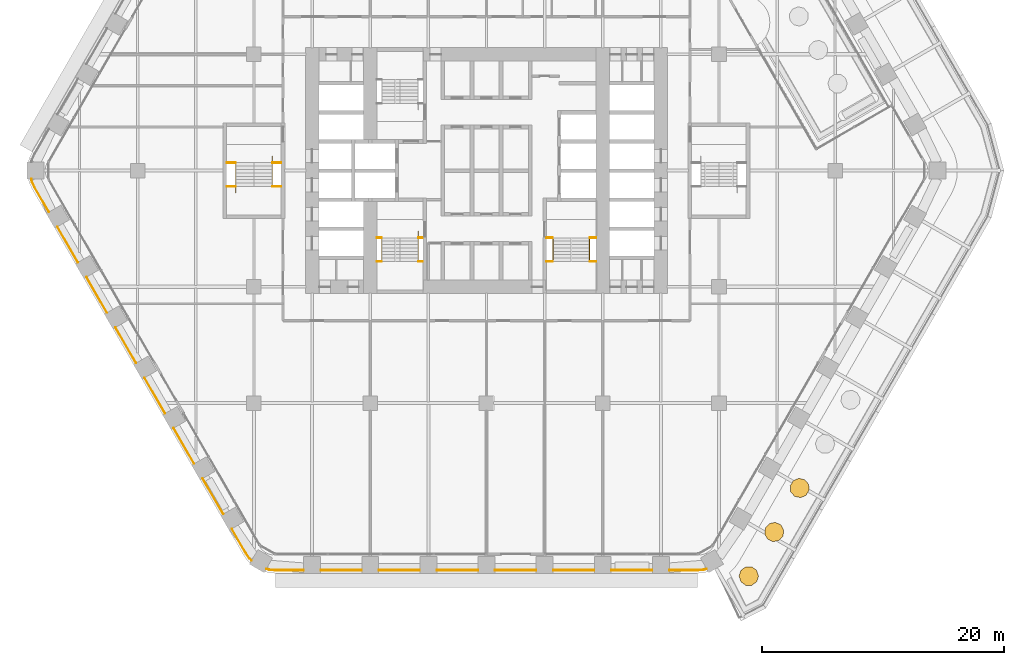
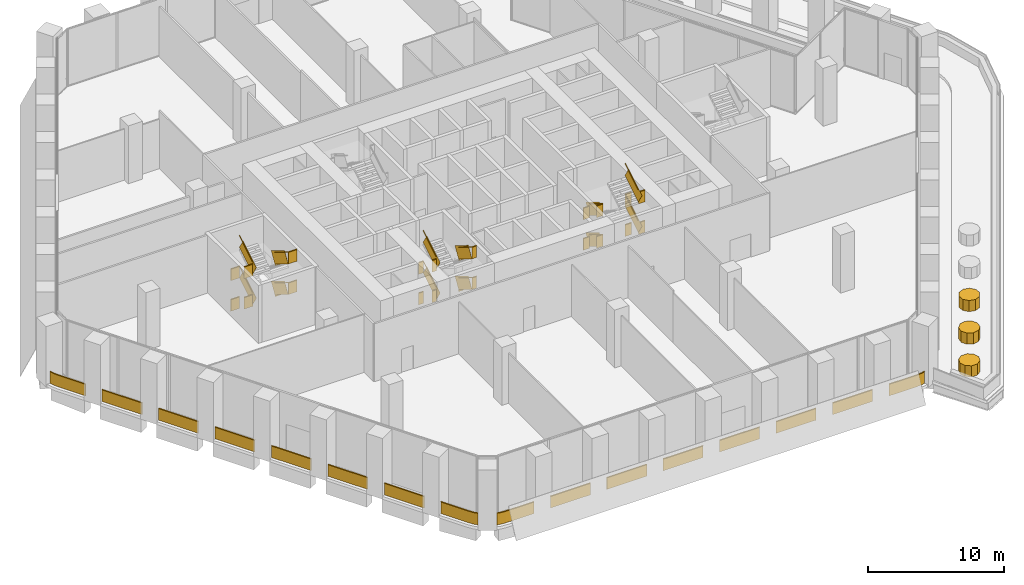
# One storey, part 30 of 32: 8 railings, 3 coverings.
"""IFC4 building model written with IfcOpenShell, lengths in metres."""

import ifcopenshell
import ifcopenshell.guid

model = None  # the IFC model being written
_history = None  # IfcOwnerHistory: only IFC2X3 demands one
_inside = {}  # id of a spatial element -> (the spatial element, [elements in it])
_under = {}  # id of a project, library or spatial element -> (it, [spatial elements below it])
_declared = {}  # id of a project -> (the project, [libraries it declares])
_typed = {}  # id of a type object -> (the type object, [elements of that type])
_made_of = {}  # id of a material, layer set ... -> (it, [elements and type objects made of it])


def new_model(schema):
    """Start an empty IFC model of exactly this schema.

    Asked for "IFC4X3", IfcOpenShell would pick the latest addendum, in which some entities
    have other attributes; the version numbers below select the first issue.
    IFC2X3 requires an IfcOwnerHistory on every rooted entity: one is made here for all.
    """
    global model, _history
    if schema == "IFC4X3":
        model = ifcopenshell.file(schema_version=(4, 3, 0, 0))
    else:
        model = ifcopenshell.file(schema=schema)
    _inside.clear()
    _under.clear()
    _declared.clear()
    _typed.clear()
    _made_of.clear()
    _history = None
    if model.schema == "IFC2X3":
        org = make("IfcOrganization", Name="unknown")
        user = make(
            "IfcPersonAndOrganization",
            ThePerson=make("IfcPerson", FamilyName="unknown"),
            TheOrganization=org,
        )
        app = make(
            "IfcApplication",
            ApplicationDeveloper=org,
            Version="unknown",
            ApplicationFullName="unknown",
            ApplicationIdentifier="unknown",
        )
        _history = make(
            "IfcOwnerHistory",
            OwningUser=user,
            OwningApplication=app,
            ChangeAction="ADDED",
            CreationDate=0,
        )
    return model


def make(cls, **values):
    """One entity of the class cls with the attributes given. An attribute that is None is left unset."""
    return model.create_entity(
        cls, **{name: value for name, value in values.items() if value is not None}
    )


def rooted(cls, **values):
    """An entity with a GlobalId (a new one), such as an element, a storey or a relation."""
    return make(cls, GlobalId=ifcopenshell.guid.new(), OwnerHistory=_history, **values)


def si_unit(unit_type, name, prefix=None):
    """IfcSIUnit, for example si_unit("LENGTHUNIT", "METRE", prefix="MILLI")."""
    return make("IfcSIUnit", UnitType=unit_type, Prefix=prefix, Name=name)


def assignment(units):
    """IfcUnitAssignment: the units of a project."""
    return None if units is None else make("IfcUnitAssignment", Units=units)


def point(xyz):
    """IfcCartesianPoint."""
    return None if xyz is None else make("IfcCartesianPoint", Coordinates=xyz)


def direction(xyz):
    """IfcDirection."""
    return None if xyz is None else make("IfcDirection", DirectionRatios=xyz)


def frame(location, z_axis=None, x_axis=None):
    """IfcAxis2Placement3D, a coordinate frame: its origin and axes. An axis left out is left unset."""
    return make(
        "IfcAxis2Placement3D",
        Location=point(location),
        Axis=direction(z_axis),
        RefDirection=direction(x_axis),
    )


def frame_2d(location, x_axis=None):
    """IfcAxis2Placement2D, a coordinate frame in the plane: its origin and x axis."""
    return make(
        "IfcAxis2Placement2D", Location=point(location), RefDirection=direction(x_axis)
    )


def origin():
    """The frame at (0, 0, 0) with its axes left unset."""
    return frame((0.0, 0.0, 0.0))


def origin_2d():
    """The frame at (0, 0) in the plane with its x axis left unset."""
    return frame_2d((0.0, 0.0))


def place(relative_to, where):
    """IfcLocalPlacement: puts the frame where relative to a parent placement (None: the world)."""
    return make(
        "IfcLocalPlacement", PlacementRelTo=relative_to, RelativePlacement=where
    )


def context(
    kind, dimensions, precision=None, world=None, true_north=None, identifier=None
):
    """IfcGeometricRepresentationContext, for example the 3D "Model" context."""
    return make(
        "IfcGeometricRepresentationContext",
        ContextIdentifier=identifier,
        ContextType=kind,
        CoordinateSpaceDimension=dimensions,
        Precision=precision,
        WorldCoordinateSystem=world,
        TrueNorth=true_north,
    )


def subcontext(parent, identifier, kind, view, scale=None):
    """IfcGeometricRepresentationSubContext, for example "Body" below "Model"."""
    return make(
        "IfcGeometricRepresentationSubContext",
        ContextIdentifier=identifier,
        ContextType=kind,
        ParentContext=parent,
        TargetScale=scale,
        TargetView=view,
    )


def project(units=None, contexts=None):
    """IfcProject with its units and contexts."""
    return rooted(
        "IfcProject",
        Name="project",
        RepresentationContexts=contexts,
        UnitsInContext=assignment(units),
    )


def spatial(cls, under=None, at=None, **own):
    """A site, building, storey or space (cls), placed at a placement, below another one or the project."""
    s = rooted(cls, ObjectPlacement=at, **own)
    if under is not None:
        _under.setdefault(under.id(), (under, []))[1].append(s)
    return s


def polyline(points):
    """IfcPolyline through the points."""
    return make("IfcPolyline", Points=[point(p) for p in points])


def profile(cls, at=None, kind="AREA", **sizes):
    """A parametric profile (cls). Its sizes go by their IFC names, for example OverallWidth=200.0."""
    return make(cls, ProfileType=kind, Position=at, **sizes)


def rectangle(**sizes):
    """IfcRectangleProfileDef."""
    return profile("IfcRectangleProfileDef", **sizes)


def outline(outer, holes=None, kind="AREA"):
    """IfcArbitraryClosedProfileDef: a profile drawn as a closed curve; with holes, ...WithVoids."""
    if holes is None:
        return make("IfcArbitraryClosedProfileDef", ProfileType=kind, OuterCurve=outer)
    return make(
        "IfcArbitraryProfileDefWithVoids",
        ProfileType=kind,
        OuterCurve=outer,
        InnerCurves=holes,
    )


def extrude(swept, where, along, depth):
    """IfcExtrudedAreaSolid: the profile swept, set in the frame where, extruded along a direction by depth."""
    return make(
        "IfcExtrudedAreaSolid",
        SweptArea=swept,
        Position=where,
        ExtrudedDirection=direction(along),
        Depth=depth,
    )


def shape(context_of_items, identifier, shape_type, items):
    """IfcShapeRepresentation: the items that make up one representation, for example the "Body"."""
    return make(
        "IfcShapeRepresentation",
        ContextOfItems=context_of_items,
        RepresentationIdentifier=identifier,
        RepresentationType=shape_type,
        Items=items,
    )


def material(Name=None, Category=None):
    """IfcMaterial."""
    return make("IfcMaterial", Name=Name, Category=Category)


def layer(
    of_material, thickness, ventilated=None, Name=None, Category=None, Priority=None
):
    """IfcMaterialLayer: one layer of a wall or slab, of a material (None: an air gap)."""
    return make(
        "IfcMaterialLayer",
        Material=of_material,
        LayerThickness=thickness,
        IsVentilated=ventilated,
        Name=Name,
        Category=Category,
        Priority=Priority,
    )


def layer_set(layers, Name=None):
    """IfcMaterialLayerSet."""
    return make("IfcMaterialLayerSet", MaterialLayers=layers, LayerSetName=Name)


def made_of(thing, what):
    """Note that an element or type object is made of a material, layer set ...; save() writes the relation."""
    if what is not None:
        _made_of.setdefault(what.id(), (what, []))[1].append(thing)
    return thing


def type_object(cls, material=None, **own):
    """A type object (cls), such as IfcWallType, which elements share."""
    return made_of(rooted(cls, **own), material)


def element(
    cls,
    number,
    at=None,
    inside=None,
    cuts=None,
    type_object=None,
    material=None,
    context=None,
    identifier="Body",
    shape_type=None,
    held_by="IfcProductDefinitionShape",
    body=None,
    shapes=None,
    **own,
):
    """One element of the class cls, such as IfcWall. Its Tag is "e" and its number.

    at: its placement. inside: the storey or other place that contains it. cuts: it is an
    opening in that element (IfcRelVoidsElement). A single representation is given by context,
    identifier, shape_type and body (its items); several are given by shapes. held_by: the class
    of the entity that holds the representations. save() writes the other relations.
    """
    e = rooted(cls, Tag="e%d" % number, ObjectPlacement=at, **own)
    if body is not None:
        shapes = [shape(context, identifier, shape_type, body)]
    if shapes is not None:
        e.Representation = make(held_by, Representations=shapes)
    if inside is not None:
        _inside.setdefault(inside.id(), (inside, []))[1].append(e)
    if cuts is not None:
        rooted(
            "IfcRelVoidsElement", RelatingBuildingElement=cuts, RelatedOpeningElement=e
        )
    if type_object is not None:
        _typed.setdefault(type_object.id(), (type_object, []))[1].append(e)
    return made_of(e, material)


def aggregate(whole, parts):
    """IfcRelAggregates: a whole, such as a stair, and the parts it consists of."""
    return rooted("IfcRelAggregates", RelatingObject=whole, RelatedObjects=parts)


def save(model, path):
    """Write the relations noted so far, then the file.

    IfcRelAggregates (storeys below a building ...), IfcRelContainedInSpatialStructure (elements
    in a storey), IfcRelDefinesByType, IfcRelAssociatesMaterial and IfcRelDeclares: one each for
    every whole, place, type object, material and project.
    """
    for whole, parts in _under.values():
        aggregate(whole, parts)
    for where, things in _inside.values():
        rooted(
            "IfcRelContainedInSpatialStructure",
            RelatedElements=things,
            RelatingStructure=where,
        )
    for kind, things in _typed.values():
        rooted("IfcRelDefinesByType", RelatedObjects=things, RelatingType=kind)
    for what, things in _made_of.values():
        rooted("IfcRelAssociatesMaterial", RelatedObjects=things, RelatingMaterial=what)
    for by, libraries in _declared.values():
        rooted("IfcRelDeclares", RelatingContext=by, RelatedDefinitions=libraries)
    model.write(path)


model = new_model("IFC4")

# Units and contexts
model_context = context("Model", 3, precision=1e-05, world=origin(), true_north=direction((0.0, 1.0)))
body_context = subcontext(model_context, "Body", "Model", "MODEL_VIEW")
ifc_project = project(units=[si_unit("LENGTHUNIT", "METRE"), si_unit("AREAUNIT", "SQUARE_METRE"), si_unit("VOLUMEUNIT", "CUBIC_METRE"), si_unit("PLANEANGLEUNIT", "RADIAN"), si_unit("MASSUNIT", "GRAM", prefix="KILO")], contexts=[model_context])

# Site, building, storey
site_placement = place(None, origin())
site = spatial("IfcSite", under=ifc_project, at=site_placement, CompositionType="ELEMENT")
building_placement = place(site_placement, origin())
building = spatial("IfcBuilding", under=site, at=building_placement, Name="Kolab Exchange Tower", CompositionType="ELEMENT")
storey_placement = place(building_placement, frame((0.0, 0.0, 60.89990234375)))
storey = spatial("IfcBuildingStorey", under=building, at=storey_placement, Name="L11", CompositionType="ELEMENT", Elevation=60.89990234375)

# Coverings
ifc_material_1 = material(Name="Flowering shrub planting", Category="soil")
ifc_layer = layer(ifc_material_1, 1.0)
ifc_layer_set = layer_set([ifc_layer], Name="Flowering shrub planting")
covering_type = type_object("IfcCoveringType", Name="FLOWERING SHRUB PLANTING", PredefinedType="USERDEFINED", material=ifc_layer_set)
covering_1_placement = place(storey_placement, frame((0.0, 0.0, 0.25)))
element("IfcCovering", 1, at=covering_1_placement, inside=storey, type_object=covering_type, Name="Flowering shrub", ObjectType="PLANTING", PredefinedType="USERDEFINED", context=body_context, shape_type="SweptSolid", body=[
    extrude(outline(polyline([(22.461181640625, -33.4853515625), (22.308349609375, -33.01513671875), (21.908203125, -32.724609375), (21.413818359375, -32.724609375), (21.013916015625, -33.01513671875), (20.861083984375, -33.4853515625), (21.013916015625, -33.95556640625), (21.413818359375, -34.246337890625), (21.908203125, -34.246337890625), (22.308349609375, -33.95556640625), (22.461181640625, -33.4853515625)])), origin(), (0.0, 0.0, 1.0), 1.0),
])
covering_2_placement = place(storey_placement, frame((0.0, 0.0, 0.25)))
element("IfcCovering", 2, at=covering_2_placement, inside=storey, type_object=covering_type, Name="Flowering shrub", ObjectType="PLANTING", PredefinedType="USERDEFINED", context=body_context, shape_type="SweptSolid", body=[
    extrude(outline(polyline([(24.545166015625, -29.689208984375), (24.302001953125, -29.2587890625), (23.852294921875, -29.053466796875), (23.36767578125, -29.151611328125), (23.033447265625, -29.515869140625), (22.97705078125, -30.007080078125), (23.22021484375, -30.437744140625), (23.669921875, -30.64306640625), (24.154541015625, -30.544921875), (24.48876953125, -30.180419921875), (24.545166015625, -29.689208984375)])), origin(), (0.0, 0.0, 1.0), 1.0),
])
covering_3_placement = place(storey_placement, frame((0.0, 0.0, 0.25)))
element("IfcCovering", 3, at=covering_3_placement, inside=storey, type_object=covering_type, Name="Flowering shrub", ObjectType="PLANTING", PredefinedType="USERDEFINED", context=body_context, shape_type="SweptSolid", body=[
    extrude(outline(polyline([(26.597900390625, -25.8994140625), (26.274169921875, -25.52587890625), (25.79248046875, -25.4140625), (25.337158203125, -25.6064453125), (25.081787109375, -26.030029296875), (25.124267578125, -26.5224609375), (25.447998046875, -26.896240234375), (25.9296875, -27.008056640625), (26.385009765625, -26.815673828125), (26.640380859375, -26.39208984375), (26.597900390625, -25.8994140625)])), origin(), (0.0, 0.0, 1.0), 1.0),
])

# Railings
ifc_material_2 = material(Name="Stainless steel 316", Category="steel")
railing_type_1 = type_object("IfcRailingType", Name="GUARD 1100", PredefinedType="GUARDRAIL", material=ifc_material_2)
railing_1_placement = place(storey_placement, frame((-9.050048828125, -5.550048828125, 0.0)))
element("IfcRailing", 4, at=railing_1_placement, inside=storey, type_object=railing_type_1, Name="Guard ST3", PredefinedType="GUARDRAIL", context=body_context, shape_type="SweptSolid", body=[
    extrude(rectangle(XDim=0.05, YDim=0.05, at=origin_2d()), frame((0.0, 0.0, 1.0751953125), z_axis=(1.0, 0.0, 0.0), x_axis=(0.0, 1.0, 0.0)), (0.0, 0.0, 1.0), 0.39013671875),
    extrude(rectangle(XDim=0.012, YDim=1.05009765625, at=frame_2d((0.0, 0.525146484375))), frame((0.0, 0.0, 0.0), z_axis=(1.0, 0.0, 0.0), x_axis=(0.0, 1.0, 0.0)), (0.0, 0.0, 1.0), 0.39013671875),
    extrude(rectangle(XDim=0.05, YDim=0.05, at=origin_2d()), frame((3.41015625, 0.0, 1.0751953125), z_axis=(1.0, 0.0, 0.0), x_axis=(0.0, 1.0, 0.0)), (0.0, 0.0, 1.0), 0.389892578125),
    extrude(rectangle(XDim=0.012, YDim=1.05009765625, at=frame_2d((0.0, 0.525146484375))), frame((3.41015625, 0.0, 0.0), z_axis=(1.0, 0.0, 0.0), x_axis=(0.0, 1.0, 0.0)), (0.0, 0.0, 1.0), 0.389892578125),
    extrude(rectangle(XDim=0.05, YDim=0.05, at=origin_2d()), frame((0.0, -1.9599609375, 2.4501953125), z_axis=(1.0, 0.0, 0.0), x_axis=(0.0, 1.0, 0.0)), (0.0, 0.0, 1.0), 0.39013671875),
    extrude(rectangle(XDim=0.012, YDim=1.05009765625, at=frame_2d((0.0, 0.525146484375))), frame((0.0, -1.9599609375, 1.375), z_axis=(1.0, 0.0, 0.0), x_axis=(0.0, 1.0, 0.0)), (0.0, 0.0, 1.0), 0.39013671875),
    extrude(rectangle(XDim=0.05, YDim=0.05, at=origin_2d()), frame((3.41015625, -1.9599609375, 2.4501953125), z_axis=(1.0, 0.0, 0.0), x_axis=(0.0, 1.0, 0.0)), (0.0, 0.0, 1.0), 0.389892578125),
    extrude(rectangle(XDim=0.012, YDim=1.05009765625, at=frame_2d((0.0, 0.525146484375))), frame((3.41015625, -1.9599609375, 1.375), z_axis=(1.0, 0.0, 0.0), x_axis=(0.0, 1.0, 0.0)), (0.0, 0.0, 1.0), 0.389892578125),
    extrude(rectangle(XDim=0.05, YDim=0.05, at=origin_2d()), frame((0.0, 0.0, 3.8251953125), z_axis=(1.0, 0.0, 0.0), x_axis=(0.0, 1.0, 0.0)), (0.0, 0.0, 1.0), 0.39013671875),
    extrude(rectangle(XDim=0.012, YDim=1.05009765625, at=frame_2d((0.0, 0.525146484375))), frame((0.0, 0.0, 2.75), z_axis=(1.0, 0.0, 0.0), x_axis=(0.0, 1.0, 0.0)), (0.0, 0.0, 1.0), 0.39013671875),
    extrude(rectangle(XDim=0.05, YDim=0.05, at=origin_2d()), frame((3.41015625, 0.0, 3.8251953125), z_axis=(1.0, 0.0, 0.0), x_axis=(0.0, 1.0, 0.0)), (0.0, 0.0, 1.0), 0.389892578125),
    extrude(rectangle(XDim=0.012, YDim=1.05009765625, at=frame_2d((0.0, 0.525146484375))), frame((3.41015625, 0.0, 2.75), z_axis=(1.0, 0.0, 0.0), x_axis=(0.0, 1.0, 0.0)), (0.0, 0.0, 1.0), 0.389892578125),
    extrude(rectangle(XDim=0.05, YDim=0.05, at=origin_2d()), frame((0.0, -1.9599609375, 5.2001953125), z_axis=(1.0, 0.0, 0.0), x_axis=(0.0, 1.0, 0.0)), (0.0, 0.0, 1.0), 0.39013671875),
    extrude(rectangle(XDim=0.012, YDim=1.05009765625, at=frame_2d((0.0, 0.525146484375))), frame((0.0, -1.9599609375, 4.125), z_axis=(1.0, 0.0, 0.0), x_axis=(0.0, 1.0, 0.0)), (0.0, 0.0, 1.0), 0.39013671875),
    extrude(rectangle(XDim=0.05, YDim=0.05, at=origin_2d()), frame((3.41015625, -1.9599609375, 5.2001953125), z_axis=(1.0, 0.0, 0.0), x_axis=(0.0, 1.0, 0.0)), (0.0, 0.0, 1.0), 0.389892578125),
    extrude(rectangle(XDim=0.012, YDim=1.05009765625, at=frame_2d((0.0, 0.525146484375))), frame((3.41015625, -1.9599609375, 4.125), z_axis=(1.0, 0.0, 0.0), x_axis=(0.0, 1.0, 0.0)), (0.0, 0.0, 1.0), 0.389892578125),
])
railing_2_placement = place(storey_placement, frame((-5.639892578125, -5.550048828125, 0.172119140625)))
element("IfcRailing", 5, at=railing_2_placement, inside=storey, type_object=railing_type_1, Name="Handrail guard ST3", PredefinedType="GUARDRAIL", context=body_context, shape_type="SweptSolid", body=[
    extrude(rectangle(XDim=0.05, YDim=0.05, at=origin_2d()), frame((0.0, 0.0, 1.0751953125), z_axis=(0.0, -0.852288308005, 0.523072308613), x_axis=(1.0, 0.0, 0.0)), (0.0, 0.0, 1.0), 2.299560546875),
    extrude(rectangle(XDim=0.012, YDim=1.05009765625, at=frame_2d((0.0, 0.525146484375))), frame((0.0, 0.0, 0.0), z_axis=(0.0, -0.852288308005, 0.523072308613), x_axis=(1.0, 0.0, 0.0)), (0.0, 0.0, 1.0), 2.299560546875),
    extrude(rectangle(XDim=0.05, YDim=0.05, at=origin_2d()), frame((-3.02001953125, -1.9599609375, 2.4501953125), z_axis=(0.0, 0.852288308005, 0.523072308613), x_axis=(-1.0, 0.0, 0.0)), (0.0, 0.0, 1.0), 2.299560546875),
    extrude(rectangle(XDim=0.012, YDim=1.05009765625, at=frame_2d((0.0, 0.525146484375))), frame((-3.02001953125, -1.9599609375, 1.375), z_axis=(0.0, 0.852288308005, 0.523072308613), x_axis=(-1.0, 0.0, 0.0)), (0.0, 0.0, 1.0), 2.299560546875),
    extrude(rectangle(XDim=0.05, YDim=0.05, at=origin_2d()), frame((0.0, 0.0, 3.8251953125), z_axis=(0.0, -0.852288308005, 0.523072308613), x_axis=(1.0, 0.0, 0.0)), (0.0, 0.0, 1.0), 2.299560546875),
    extrude(rectangle(XDim=0.012, YDim=1.05009765625, at=frame_2d((0.0, 0.525146484375))), frame((0.0, 0.0, 2.75), z_axis=(0.0, -0.852288308005, 0.523072308613), x_axis=(1.0, 0.0, 0.0)), (0.0, 0.0, 1.0), 2.299560546875),
    extrude(rectangle(XDim=0.05, YDim=0.05, at=origin_2d()), frame((-3.02001953125, -1.9599609375, 5.2001953125), z_axis=(0.0, 0.852288308005, 0.523072308613), x_axis=(-1.0, 0.0, 0.0)), (0.0, 0.0, 1.0), 2.299560546875),
    extrude(rectangle(XDim=0.012, YDim=1.05009765625, at=frame_2d((0.0, 0.525146484375))), frame((-3.02001953125, -1.9599609375, 4.125), z_axis=(0.0, 0.852288308005, 0.523072308613), x_axis=(-1.0, 0.0, 0.0)), (0.0, 0.0, 1.0), 2.299560546875),
])
railing_3_placement = place(storey_placement, frame((4.949951171875, -5.550048828125, 0.0)))
element("IfcRailing", 6, at=railing_3_placement, inside=storey, type_object=railing_type_1, Name="Guard ST2", PredefinedType="GUARDRAIL", context=body_context, shape_type="SweptSolid", body=[
    extrude(rectangle(XDim=0.05, YDim=0.05, at=origin_2d()), frame((0.0, 0.0, 1.0751953125), z_axis=(1.0, 0.0, 0.0), x_axis=(0.0, 1.0, 0.0)), (0.0, 0.0, 1.0), 0.5400390625),
    extrude(rectangle(XDim=0.012, YDim=1.05009765625, at=frame_2d((0.0, 0.525146484375))), frame((0.0, 0.0, 0.0), z_axis=(1.0, 0.0, 0.0), x_axis=(0.0, 1.0, 0.0)), (0.0, 0.0, 1.0), 0.5400390625),
    extrude(rectangle(XDim=0.05, YDim=0.05, at=origin_2d()), frame((3.56005859375, 0.0, 1.0751953125), z_axis=(1.0, 0.0, 0.0), x_axis=(0.0, 1.0, 0.0)), (0.0, 0.0, 1.0), 0.5400390625),
    extrude(rectangle(XDim=0.012, YDim=1.05009765625, at=frame_2d((0.0, 0.525146484375))), frame((3.56005859375, 0.0, 0.0), z_axis=(1.0, 0.0, 0.0), x_axis=(0.0, 1.0, 0.0)), (0.0, 0.0, 1.0), 0.5400390625),
    extrude(rectangle(XDim=0.05, YDim=0.05, at=origin_2d()), frame((0.0, -1.9599609375, 2.4501953125), z_axis=(1.0, 0.0, 0.0), x_axis=(0.0, 1.0, 0.0)), (0.0, 0.0, 1.0), 0.5400390625),
    extrude(rectangle(XDim=0.012, YDim=1.05009765625, at=frame_2d((0.0, 0.525146484375))), frame((0.0, -1.9599609375, 1.375), z_axis=(1.0, 0.0, 0.0), x_axis=(0.0, 1.0, 0.0)), (0.0, 0.0, 1.0), 0.5400390625),
    extrude(rectangle(XDim=0.05, YDim=0.05, at=origin_2d()), frame((3.56005859375, -1.9599609375, 2.4501953125), z_axis=(1.0, 0.0, 0.0), x_axis=(0.0, 1.0, 0.0)), (0.0, 0.0, 1.0), 0.5400390625),
    extrude(rectangle(XDim=0.012, YDim=1.05009765625, at=frame_2d((0.0, 0.525146484375))), frame((3.56005859375, -1.9599609375, 1.375), z_axis=(1.0, 0.0, 0.0), x_axis=(0.0, 1.0, 0.0)), (0.0, 0.0, 1.0), 0.5400390625),
    extrude(rectangle(XDim=0.05, YDim=0.05, at=origin_2d()), frame((0.0, 0.0, 3.8251953125), z_axis=(1.0, 0.0, 0.0), x_axis=(0.0, 1.0, 0.0)), (0.0, 0.0, 1.0), 0.5400390625),
    extrude(rectangle(XDim=0.012, YDim=1.05009765625, at=frame_2d((0.0, 0.525146484375))), frame((0.0, 0.0, 2.75), z_axis=(1.0, 0.0, 0.0), x_axis=(0.0, 1.0, 0.0)), (0.0, 0.0, 1.0), 0.5400390625),
    extrude(rectangle(XDim=0.05, YDim=0.05, at=origin_2d()), frame((3.56005859375, 0.0, 3.8251953125), z_axis=(1.0, 0.0, 0.0), x_axis=(0.0, 1.0, 0.0)), (0.0, 0.0, 1.0), 0.5400390625),
    extrude(rectangle(XDim=0.012, YDim=1.05009765625, at=frame_2d((0.0, 0.525146484375))), frame((3.56005859375, 0.0, 2.75), z_axis=(1.0, 0.0, 0.0), x_axis=(0.0, 1.0, 0.0)), (0.0, 0.0, 1.0), 0.5400390625),
    extrude(rectangle(XDim=0.05, YDim=0.05, at=origin_2d()), frame((0.0, -1.9599609375, 5.2001953125), z_axis=(1.0, 0.0, 0.0), x_axis=(0.0, 1.0, 0.0)), (0.0, 0.0, 1.0), 0.5400390625),
    extrude(rectangle(XDim=0.012, YDim=1.05009765625, at=frame_2d((0.0, 0.525146484375))), frame((0.0, -1.9599609375, 4.125), z_axis=(1.0, 0.0, 0.0), x_axis=(0.0, 1.0, 0.0)), (0.0, 0.0, 1.0), 0.5400390625),
    extrude(rectangle(XDim=0.05, YDim=0.05, at=origin_2d()), frame((3.56005859375, -1.9599609375, 5.2001953125), z_axis=(1.0, 0.0, 0.0), x_axis=(0.0, 1.0, 0.0)), (0.0, 0.0, 1.0), 0.5400390625),
    extrude(rectangle(XDim=0.012, YDim=1.05009765625, at=frame_2d((0.0, 0.525146484375))), frame((3.56005859375, -1.9599609375, 4.125), z_axis=(1.0, 0.0, 0.0), x_axis=(0.0, 1.0, 0.0)), (0.0, 0.0, 1.0), 0.5400390625),
])
railing_4_placement = place(storey_placement, frame((5.489990234375, -5.550048828125, 0.172119140625)))
element("IfcRailing", 7, at=railing_4_placement, inside=storey, type_object=railing_type_1, Name="Handrail guard ST2", PredefinedType="GUARDRAIL", context=body_context, shape_type="SweptSolid", body=[
    extrude(rectangle(XDim=0.05, YDim=0.05, at=origin_2d()), frame((0.0, 0.0, 1.0751953125), z_axis=(0.0, -0.852288308005, 0.523072308613), x_axis=(1.0, 0.0, 0.0)), (0.0, 0.0, 1.0), 2.299560546875),
    extrude(rectangle(XDim=0.012, YDim=1.05009765625, at=frame_2d((0.0, 0.525146484375))), frame((0.0, 0.0, 0.0), z_axis=(0.0, -0.852288308005, 0.523072308613), x_axis=(1.0, 0.0, 0.0)), (0.0, 0.0, 1.0), 2.299560546875),
    extrude(rectangle(XDim=0.05, YDim=0.05, at=origin_2d()), frame((3.02001953125, -1.9599609375, 2.4501953125), z_axis=(0.0, 0.852288308005, 0.523072308613), x_axis=(-1.0, 0.0, 0.0)), (0.0, 0.0, 1.0), 2.299560546875),
    extrude(rectangle(XDim=0.012, YDim=1.05009765625, at=frame_2d((0.0, 0.525146484375))), frame((3.02001953125, -1.9599609375, 1.375), z_axis=(0.0, 0.852288308005, 0.523072308613), x_axis=(-1.0, 0.0, 0.0)), (0.0, 0.0, 1.0), 2.299560546875),
    extrude(rectangle(XDim=0.05, YDim=0.05, at=origin_2d()), frame((0.0, 0.0, 3.8251953125), z_axis=(0.0, -0.852288308005, 0.523072308613), x_axis=(1.0, 0.0, 0.0)), (0.0, 0.0, 1.0), 2.299560546875),
    extrude(rectangle(XDim=0.012, YDim=1.05009765625, at=frame_2d((0.0, 0.525146484375))), frame((0.0, 0.0, 2.75), z_axis=(0.0, -0.852288308005, 0.523072308613), x_axis=(1.0, 0.0, 0.0)), (0.0, 0.0, 1.0), 2.299560546875),
    extrude(rectangle(XDim=0.05, YDim=0.05, at=origin_2d()), frame((3.02001953125, -1.9599609375, 5.2001953125), z_axis=(0.0, 0.852288308005, 0.523072308613), x_axis=(-1.0, 0.0, 0.0)), (0.0, 0.0, 1.0), 2.299560546875),
    extrude(rectangle(XDim=0.012, YDim=1.05009765625, at=frame_2d((0.0, 0.525146484375))), frame((3.02001953125, -1.9599609375, 4.125), z_axis=(0.0, 0.852288308005, 0.523072308613), x_axis=(-1.0, 0.0, 0.0)), (0.0, 0.0, 1.0), 2.299560546875),
])
railing_5_placement = place(storey_placement, frame((-21.449951171875, 0.64990234375, 0.0)))
element("IfcRailing", 8, at=railing_5_placement, inside=storey, type_object=railing_type_1, Name="Guard ST5", PredefinedType="GUARDRAIL", context=body_context, shape_type="SweptSolid", body=[
    extrude(rectangle(XDim=0.05, YDim=0.05, at=origin_2d()), frame((0.0, 0.0, 1.0751953125), z_axis=(1.0, 0.0, 0.0), x_axis=(0.0, 1.0, 0.0)), (0.0, 0.0, 1.0), 0.739990234375),
    extrude(rectangle(XDim=0.012, YDim=1.05009765625, at=frame_2d((0.0, 0.525146484375))), frame((0.0, 0.0, 0.0), z_axis=(1.0, 0.0, 0.0), x_axis=(0.0, 1.0, 0.0)), (0.0, 0.0, 1.0), 0.739990234375),
    extrude(rectangle(XDim=0.05, YDim=0.05, at=origin_2d()), frame((3.760009765625, 0.0, 1.0751953125), z_axis=(1.0, 0.0, 0.0), x_axis=(0.0, 1.0, 0.0)), (0.0, 0.0, 1.0), 0.739990234375),
    extrude(rectangle(XDim=0.012, YDim=1.05009765625, at=frame_2d((0.0, 0.525146484375))), frame((3.760009765625, 0.0, 0.0), z_axis=(1.0, 0.0, 0.0), x_axis=(0.0, 1.0, 0.0)), (0.0, 0.0, 1.0), 0.739990234375),
    extrude(rectangle(XDim=0.05, YDim=0.05, at=origin_2d()), frame((0.0, -1.9599609375, 2.4501953125), z_axis=(1.0, 0.0, 0.0), x_axis=(0.0, 1.0, 0.0)), (0.0, 0.0, 1.0), 0.739990234375),
    extrude(rectangle(XDim=0.012, YDim=1.05009765625, at=frame_2d((0.0, 0.525146484375))), frame((0.0, -1.9599609375, 1.375), z_axis=(1.0, 0.0, 0.0), x_axis=(0.0, 1.0, 0.0)), (0.0, 0.0, 1.0), 0.739990234375),
    extrude(rectangle(XDim=0.05, YDim=0.05, at=origin_2d()), frame((3.760009765625, -1.9599609375, 2.4501953125), z_axis=(1.0, 0.0, 0.0), x_axis=(0.0, 1.0, 0.0)), (0.0, 0.0, 1.0), 0.739990234375),
    extrude(rectangle(XDim=0.012, YDim=1.05009765625, at=frame_2d((0.0, 0.525146484375))), frame((3.760009765625, -1.9599609375, 1.375), z_axis=(1.0, 0.0, 0.0), x_axis=(0.0, 1.0, 0.0)), (0.0, 0.0, 1.0), 0.739990234375),
    extrude(rectangle(XDim=0.05, YDim=0.05, at=origin_2d()), frame((0.0, 0.0, 3.8251953125), z_axis=(1.0, 0.0, 0.0), x_axis=(0.0, 1.0, 0.0)), (0.0, 0.0, 1.0), 0.739990234375),
    extrude(rectangle(XDim=0.012, YDim=1.05009765625, at=frame_2d((0.0, 0.525146484375))), frame((0.0, 0.0, 2.75), z_axis=(1.0, 0.0, 0.0), x_axis=(0.0, 1.0, 0.0)), (0.0, 0.0, 1.0), 0.739990234375),
    extrude(rectangle(XDim=0.05, YDim=0.05, at=origin_2d()), frame((3.760009765625, 0.0, 3.8251953125), z_axis=(1.0, 0.0, 0.0), x_axis=(0.0, 1.0, 0.0)), (0.0, 0.0, 1.0), 0.739990234375),
    extrude(rectangle(XDim=0.012, YDim=1.05009765625, at=frame_2d((0.0, 0.525146484375))), frame((3.760009765625, 0.0, 2.75), z_axis=(1.0, 0.0, 0.0), x_axis=(0.0, 1.0, 0.0)), (0.0, 0.0, 1.0), 0.739990234375),
    extrude(rectangle(XDim=0.05, YDim=0.05, at=origin_2d()), frame((0.0, -1.9599609375, 5.2001953125), z_axis=(1.0, 0.0, 0.0), x_axis=(0.0, 1.0, 0.0)), (0.0, 0.0, 1.0), 0.739990234375),
    extrude(rectangle(XDim=0.012, YDim=1.05009765625, at=frame_2d((0.0, 0.525146484375))), frame((0.0, -1.9599609375, 4.125), z_axis=(1.0, 0.0, 0.0), x_axis=(0.0, 1.0, 0.0)), (0.0, 0.0, 1.0), 0.739990234375),
    extrude(rectangle(XDim=0.05, YDim=0.05, at=origin_2d()), frame((3.760009765625, -1.9599609375, 5.2001953125), z_axis=(1.0, 0.0, 0.0), x_axis=(0.0, 1.0, 0.0)), (0.0, 0.0, 1.0), 0.739990234375),
    extrude(rectangle(XDim=0.012, YDim=1.05009765625, at=frame_2d((0.0, 0.525146484375))), frame((3.760009765625, -1.9599609375, 4.125), z_axis=(1.0, 0.0, 0.0), x_axis=(0.0, 1.0, 0.0)), (0.0, 0.0, 1.0), 0.739990234375),
])
railing_6_placement = place(storey_placement, frame((-17.68994140625, 0.64990234375, 0.172119140625)))
element("IfcRailing", 9, at=railing_6_placement, inside=storey, type_object=railing_type_1, Name="Handrail guard ST5", PredefinedType="GUARDRAIL", context=body_context, shape_type="SweptSolid", body=[
    extrude(rectangle(XDim=0.05, YDim=0.05, at=origin_2d()), frame((0.0, 0.0, 1.0751953125), z_axis=(0.0, -0.852288308005, 0.523072308613), x_axis=(1.0, 0.0, 0.0)), (0.0, 0.0, 1.0), 2.299560546875),
    extrude(rectangle(XDim=0.012, YDim=1.05009765625, at=frame_2d((0.0, 0.525146484375))), frame((0.0, 0.0, 0.0), z_axis=(0.0, -0.852288308005, 0.523072308613), x_axis=(1.0, 0.0, 0.0)), (0.0, 0.0, 1.0), 2.299560546875),
    extrude(rectangle(XDim=0.05, YDim=0.05, at=origin_2d()), frame((-3.02001953125, -1.9599609375, 2.4501953125), z_axis=(0.0, 0.852288308005, 0.523072308613), x_axis=(-1.0, 0.0, 0.0)), (0.0, 0.0, 1.0), 2.299560546875),
    extrude(rectangle(XDim=0.012, YDim=1.05009765625, at=frame_2d((0.0, 0.525146484375))), frame((-3.02001953125, -1.9599609375, 1.375), z_axis=(0.0, 0.852288308005, 0.523072308613), x_axis=(-1.0, 0.0, 0.0)), (0.0, 0.0, 1.0), 2.299560546875),
    extrude(rectangle(XDim=0.05, YDim=0.05, at=origin_2d()), frame((0.0, 0.0, 3.8251953125), z_axis=(0.0, -0.852288308005, 0.523072308613), x_axis=(1.0, 0.0, 0.0)), (0.0, 0.0, 1.0), 2.299560546875),
    extrude(rectangle(XDim=0.012, YDim=1.05009765625, at=frame_2d((0.0, 0.525146484375))), frame((0.0, 0.0, 2.75), z_axis=(0.0, -0.852288308005, 0.523072308613), x_axis=(1.0, 0.0, 0.0)), (0.0, 0.0, 1.0), 2.299560546875),
    extrude(rectangle(XDim=0.05, YDim=0.05, at=origin_2d()), frame((-3.02001953125, -1.9599609375, 5.2001953125), z_axis=(0.0, 0.852288308005, 0.523072308613), x_axis=(-1.0, 0.0, 0.0)), (0.0, 0.0, 1.0), 2.299560546875),
    extrude(rectangle(XDim=0.012, YDim=1.05009765625, at=frame_2d((0.0, 0.525146484375))), frame((-3.02001953125, -1.9599609375, 4.125), z_axis=(0.0, 0.852288308005, 0.523072308613), x_axis=(-1.0, 0.0, 0.0)), (0.0, 0.0, 1.0), 2.299560546875),
])
ifc_material_3 = material(Name="Steel S235", Category="steel")
railing_type_2 = type_object("IfcRailingType", Name="GUARD 1100 GLASS BALUSTRADE AND STEEL TOP RAIL", PredefinedType="GUARDRAIL", material=ifc_material_3)
railing_7_placement = place(storey_placement, frame((-18.1953125, -32.896728515625, 0.0)))
element("IfcRailing", 10, at=railing_7_placement, inside=storey, type_object=railing_type_2, Name="Guard", PredefinedType="GUARDRAIL", context=body_context, shape_type="SweptSolid", body=[
    extrude(rectangle(XDim=0.05, YDim=0.05, at=origin_2d()), frame((0.0, 0.0, 1.0751953125), z_axis=(0.965952265455, -0.258720352624, 0.0), x_axis=(0.258720352624, 0.965952265455, 0.0)), (0.0, 0.0, 1.0), 0.258544921875),
    extrude(rectangle(XDim=0.012, YDim=1.05009765625, at=frame_2d((0.0, 0.525146484375))), frame((0.0, 0.0, 0.0), z_axis=(0.965952265455, -0.258720352624, 0.0), x_axis=(0.258720352624, 0.965952265455, 0.0)), (0.0, 0.0, 1.0), 0.258544921875),
    extrude(rectangle(XDim=0.05, YDim=0.05, at=origin_2d()), frame((0.249755859375, -0.06689453125, 1.0751953125), z_axis=(0.996200348447, -0.087091134757, 0.0), x_axis=(0.087091134757, 0.996200348447, 0.0)), (0.0, 0.0, 1.0), 0.479248046875),
    extrude(rectangle(XDim=0.012, YDim=1.05009765625, at=frame_2d((0.0, 0.525146484375))), frame((0.249755859375, -0.06689453125, 0.0), z_axis=(0.996200348447, -0.087091134757, 0.0), x_axis=(0.087091134757, 0.996200348447, 0.0)), (0.0, 0.0, 1.0), 0.479248046875),
    extrude(rectangle(XDim=0.05, YDim=0.05, at=origin_2d()), frame((0.727294921875, -0.108642578125, 1.0751953125), z_axis=(1.0, 0.0, 0.0), x_axis=(0.0, 1.0, 0.0)), (0.0, 0.0, 1.0), 2.367919921875),
    extrude(rectangle(XDim=0.012, YDim=1.05009765625, at=frame_2d((0.0, 0.525146484375))), frame((0.727294921875, -0.108642578125, 0.0), z_axis=(1.0, 0.0, 0.0), x_axis=(0.0, 1.0, 0.0)), (0.0, 0.0, 1.0), 2.367919921875),
    extrude(rectangle(XDim=0.05, YDim=0.05, at=origin_2d()), frame((4.495361328125, -0.108642578125, 1.0751953125), z_axis=(1.0, 0.0, 0.0), x_axis=(0.0, 1.0, 0.0)), (0.0, 0.0, 1.0), 3.39990234375),
    extrude(rectangle(XDim=0.012, YDim=1.05009765625, at=frame_2d((0.0, 0.525146484375))), frame((4.495361328125, -0.108642578125, 0.0), z_axis=(1.0, 0.0, 0.0), x_axis=(0.0, 1.0, 0.0)), (0.0, 0.0, 1.0), 3.39990234375),
    extrude(rectangle(XDim=0.05, YDim=0.05, at=origin_2d()), frame((9.29541015625, -0.108642578125, 1.0751953125), z_axis=(1.0, 0.0, 0.0), x_axis=(0.0, 1.0, 0.0)), (0.0, 0.0, 1.0), 3.39990234375),
    extrude(rectangle(XDim=0.012, YDim=1.05009765625, at=frame_2d((0.0, 0.525146484375))), frame((9.29541015625, -0.108642578125, 0.0), z_axis=(1.0, 0.0, 0.0), x_axis=(0.0, 1.0, 0.0)), (0.0, 0.0, 1.0), 3.39990234375),
    extrude(rectangle(XDim=0.05, YDim=0.05, at=origin_2d()), frame((14.09521484375, -0.108642578125, 1.0751953125), z_axis=(1.0, 0.0, 0.0), x_axis=(0.0, 1.0, 0.0)), (0.0, 0.0, 1.0), 3.400146484375),
    extrude(rectangle(XDim=0.012, YDim=1.05009765625, at=frame_2d((0.0, 0.525146484375))), frame((14.09521484375, -0.108642578125, 0.0), z_axis=(1.0, 0.0, 0.0), x_axis=(0.0, 1.0, 0.0)), (0.0, 0.0, 1.0), 3.400146484375),
    extrude(rectangle(XDim=0.05, YDim=0.05, at=origin_2d()), frame((18.895263671875, -0.108642578125, 1.0751953125), z_axis=(1.0, 0.0, 0.0), x_axis=(0.0, 1.0, 0.0)), (0.0, 0.0, 1.0), 3.400146484375),
    extrude(rectangle(XDim=0.012, YDim=1.05009765625, at=frame_2d((0.0, 0.525146484375))), frame((18.895263671875, -0.108642578125, 0.0), z_axis=(1.0, 0.0, 0.0), x_axis=(0.0, 1.0, 0.0)), (0.0, 0.0, 1.0), 3.400146484375),
    extrude(rectangle(XDim=0.05, YDim=0.05, at=origin_2d()), frame((23.6953125, -0.108642578125, 1.0751953125), z_axis=(1.0, 0.0, 0.0), x_axis=(0.0, 1.0, 0.0)), (0.0, 0.0, 1.0), 3.39990234375),
    extrude(rectangle(XDim=0.012, YDim=1.05009765625, at=frame_2d((0.0, 0.525146484375))), frame((23.6953125, -0.108642578125, 0.0), z_axis=(1.0, 0.0, 0.0), x_axis=(0.0, 1.0, 0.0)), (0.0, 0.0, 1.0), 3.39990234375),
    extrude(rectangle(XDim=0.05, YDim=0.05, at=origin_2d()), frame((28.495361328125, -0.108642578125, 1.0751953125), z_axis=(1.0, 0.0, 0.0), x_axis=(0.0, 1.0, 0.0)), (0.0, 0.0, 1.0), 3.39990234375),
    extrude(rectangle(XDim=0.012, YDim=1.05009765625, at=frame_2d((0.0, 0.525146484375))), frame((28.495361328125, -0.108642578125, 0.0), z_axis=(1.0, 0.0, 0.0), x_axis=(0.0, 1.0, 0.0)), (0.0, 0.0, 1.0), 3.39990234375),
    extrude(rectangle(XDim=0.05, YDim=0.05, at=origin_2d()), frame((33.29541015625, -0.108642578125, 1.0751953125), z_axis=(1.0, 0.0, 0.0), x_axis=(0.0, 1.0, 0.0)), (0.0, 0.0, 1.0), 2.367919921875),
    extrude(rectangle(XDim=0.012, YDim=1.05009765625, at=frame_2d((0.0, 0.525146484375))), frame((33.29541015625, -0.108642578125, 0.0), z_axis=(1.0, 0.0, 0.0), x_axis=(0.0, 1.0, 0.0)), (0.0, 0.0, 1.0), 2.367919921875),
    extrude(rectangle(XDim=0.05, YDim=0.05, at=origin_2d()), frame((35.663330078125, -0.108642578125, 1.0751953125), z_axis=(0.996200348447, 0.087091134757, 0.0), x_axis=(-0.087091134757, 0.996200348447, 0.0)), (0.0, 0.0, 1.0), 0.479248046875),
    extrude(rectangle(XDim=0.012, YDim=1.05009765625, at=frame_2d((0.0, 0.525146484375))), frame((35.663330078125, -0.108642578125, 0.0), z_axis=(0.996200348447, 0.087091134757, 0.0), x_axis=(-0.087091134757, 0.996200348447, 0.0)), (0.0, 0.0, 1.0), 0.479248046875),
    extrude(rectangle(XDim=0.05, YDim=0.05, at=origin_2d()), frame((36.140869140625, -0.06689453125, 1.0751953125), z_axis=(0.965952265455, 0.258720352624, 0.0), x_axis=(-0.258720352624, 0.965952265455, 0.0)), (0.0, 0.0, 1.0), 0.258544921875),
    extrude(rectangle(XDim=0.012, YDim=1.05009765625, at=frame_2d((0.0, 0.525146484375))), frame((36.140869140625, -0.06689453125, 0.0), z_axis=(0.965952265455, 0.258720352624, 0.0), x_axis=(-0.258720352624, 0.965952265455, 0.0)), (0.0, 0.0, 1.0), 0.258544921875),
])
railing_8_placement = place(storey_placement, frame((-37.5869140625, -0.690673828125, 0.0)))
element("IfcRailing", 11, at=railing_8_placement, inside=storey, type_object=railing_type_2, Name="Guard", PredefinedType="GUARDRAIL", context=body_context, shape_type="SweptSolid", body=[
    extrude(rectangle(XDim=0.05, YDim=0.05, at=origin_2d()), frame((0.0, 0.0, 1.0751953125), z_axis=(0.258484584798, -0.966015382601, 0.0), x_axis=(0.966015382601, 0.258484584798, 0.0)), (0.0, 0.0, 1.0), 0.2587890625),
    extrude(rectangle(XDim=0.012, YDim=1.05009765625, at=frame_2d((0.0, 0.525146484375))), frame((0.0, 0.0, 0.0), z_axis=(0.258484584798, -0.966015382601, 0.0), x_axis=(0.966015382601, 0.258484584798, 0.0)), (0.0, 0.0, 1.0), 0.2587890625),
    extrude(rectangle(XDim=0.05, YDim=0.05, at=origin_2d()), frame((0.06689453125, -0.25, 1.0751953125), z_axis=(0.422801802984, -0.906222177721, 0.0), x_axis=(0.906222177721, 0.422801802984, 0.0)), (0.0, 0.0, 1.0), 0.479248046875),
    extrude(rectangle(XDim=0.012, YDim=1.05009765625, at=frame_2d((0.0, 0.525146484375))), frame((0.06689453125, -0.25, 0.0), z_axis=(0.422801802984, -0.906222177721, 0.0), x_axis=(0.906222177721, 0.422801802984, 0.0)), (0.0, 0.0, 1.0), 0.479248046875),
    extrude(rectangle(XDim=0.05, YDim=0.05, at=origin_2d()), frame((0.26953125, -0.684326171875, 1.0751953125), z_axis=(0.499942602326, -0.866058539811, 0.0), x_axis=(0.866058539811, 0.499942602326, 0.0)), (0.0, 0.0, 1.0), 2.367919921875),
    extrude(rectangle(XDim=0.012, YDim=1.05009765625, at=frame_2d((0.0, 0.525146484375))), frame((0.26953125, -0.684326171875, 0.0), z_axis=(0.499942602326, -0.866058539811, 0.0), x_axis=(0.866058539811, 0.499942602326, 0.0)), (0.0, 0.0, 1.0), 2.367919921875),
    extrude(rectangle(XDim=0.05, YDim=0.05, at=origin_2d()), frame((2.1533203125, -3.947509765625, 1.0751953125), z_axis=(0.500062241894, -0.865989465428, 0.0), x_axis=(0.865989465428, 0.500062241894, 0.0)), (0.0, 0.0, 1.0), 3.39990234375),
    extrude(rectangle(XDim=0.012, YDim=1.05009765625, at=frame_2d((0.0, 0.525146484375))), frame((2.1533203125, -3.947509765625, 0.0), z_axis=(0.500062241894, -0.865989465428, 0.0), x_axis=(0.865989465428, 0.500062241894, 0.0)), (0.0, 0.0, 1.0), 3.39990234375),
    extrude(rectangle(XDim=0.05, YDim=0.05, at=origin_2d()), frame((4.553466796875, -8.1044921875, 1.0751953125), z_axis=(0.500008388397, -0.866020560687, 0.0), x_axis=(0.866020560687, 0.500008388397, 0.0)), (0.0, 0.0, 1.0), 3.39990234375),
    extrude(rectangle(XDim=0.012, YDim=1.05009765625, at=frame_2d((0.0, 0.525146484375))), frame((4.553466796875, -8.1044921875, 0.0), z_axis=(0.500008388397, -0.866020560687, 0.0), x_axis=(0.866020560687, 0.500008388397, 0.0)), (0.0, 0.0, 1.0), 3.39990234375),
    extrude(rectangle(XDim=0.05, YDim=0.05, at=origin_2d()), frame((6.953369140625, -12.26123046875, 1.0751953125), z_axis=(0.499977295307, -0.866038511948, 0.0), x_axis=(0.866038511948, 0.499977295307, 0.0)), (0.0, 0.0, 1.0), 3.400146484375),
    extrude(rectangle(XDim=0.012, YDim=1.05009765625, at=frame_2d((0.0, 0.525146484375))), frame((6.953369140625, -12.26123046875, 0.0), z_axis=(0.499977295307, -0.866038511948, 0.0), x_axis=(0.866038511948, 0.499977295307, 0.0)), (0.0, 0.0, 1.0), 3.400146484375),
    extrude(rectangle(XDim=0.05, YDim=0.05, at=origin_2d()), frame((9.353515625, -16.418212890625, 1.0751953125), z_axis=(0.499977295307, -0.866038511948, 0.0), x_axis=(0.866038511948, 0.499977295307, 0.0)), (0.0, 0.0, 1.0), 3.400146484375),
    extrude(rectangle(XDim=0.012, YDim=1.05009765625, at=frame_2d((0.0, 0.525146484375))), frame((9.353515625, -16.418212890625, 0.0), z_axis=(0.499977295307, -0.866038511948, 0.0), x_axis=(0.866038511948, 0.499977295307, 0.0)), (0.0, 0.0, 1.0), 3.400146484375),
    extrude(rectangle(XDim=0.05, YDim=0.05, at=origin_2d()), frame((11.75341796875, -20.5751953125, 1.0751953125), z_axis=(0.500008388397, -0.866020560687, 0.0), x_axis=(0.866020560687, 0.500008388397, 0.0)), (0.0, 0.0, 1.0), 3.39990234375),
    extrude(rectangle(XDim=0.012, YDim=1.05009765625, at=frame_2d((0.0, 0.525146484375))), frame((11.75341796875, -20.5751953125, 0.0), z_axis=(0.500008388397, -0.866020560687, 0.0), x_axis=(0.866020560687, 0.500008388397, 0.0)), (0.0, 0.0, 1.0), 3.39990234375),
    extrude(rectangle(XDim=0.05, YDim=0.05, at=origin_2d()), frame((14.1533203125, -24.732177734375, 1.0751953125), z_axis=(0.500062241894, -0.865989465428, 0.0), x_axis=(0.865989465428, 0.500062241894, 0.0)), (0.0, 0.0, 1.0), 3.39990234375),
    extrude(rectangle(XDim=0.012, YDim=1.05009765625, at=frame_2d((0.0, 0.525146484375))), frame((14.1533203125, -24.732177734375, 0.0), z_axis=(0.500062241894, -0.865989465428, 0.0), x_axis=(0.865989465428, 0.500062241894, 0.0)), (0.0, 0.0, 1.0), 3.39990234375),
    extrude(rectangle(XDim=0.05, YDim=0.05, at=origin_2d()), frame((16.553466796875, -28.888916015625, 1.0751953125), z_axis=(0.499942602326, -0.866058539811, 0.0), x_axis=(0.866058539811, 0.499942602326, 0.0)), (0.0, 0.0, 1.0), 2.367919921875),
    extrude(rectangle(XDim=0.012, YDim=1.05009765625, at=frame_2d((0.0, 0.525146484375))), frame((16.553466796875, -28.888916015625, 0.0), z_axis=(0.499942602326, -0.866058539811, 0.0), x_axis=(0.866058539811, 0.499942602326, 0.0)), (0.0, 0.0, 1.0), 2.367919921875),
    extrude(rectangle(XDim=0.05, YDim=0.05, at=origin_2d()), frame((17.7373046875, -30.939697265625, 1.0751953125), z_axis=(0.573940749815, -0.818896828485, 0.0), x_axis=(0.818896828485, 0.573940749815, 0.0)), (0.0, 0.0, 1.0), 0.4794921875),
    extrude(rectangle(XDim=0.012, YDim=1.05009765625, at=frame_2d((0.0, 0.525146484375))), frame((17.7373046875, -30.939697265625, 0.0), z_axis=(0.573940749815, -0.818896828485, 0.0), x_axis=(0.818896828485, 0.573940749815, 0.0)), (0.0, 0.0, 1.0), 0.4794921875),
    extrude(rectangle(XDim=0.05, YDim=0.05, at=origin_2d()), frame((18.012451171875, -31.332275390625, 1.0751953125), z_axis=(0.706634904947, -0.707578342737, 0.0), x_axis=(0.707578342737, 0.706634904947, 0.0)), (0.0, 0.0, 1.0), 0.2587890625),
    extrude(rectangle(XDim=0.012, YDim=1.05009765625, at=frame_2d((0.0, 0.525146484375))), frame((18.012451171875, -31.332275390625, 0.0), z_axis=(0.706634904947, -0.707578342737, 0.0), x_axis=(0.707578342737, 0.706634904947, 0.0)), (0.0, 0.0, 1.0), 0.2587890625),
])

save(model, "model.ifc")
